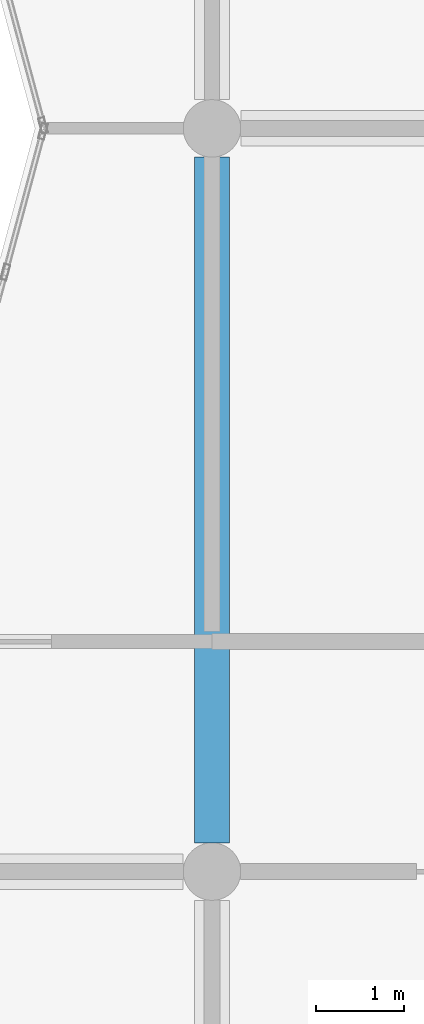
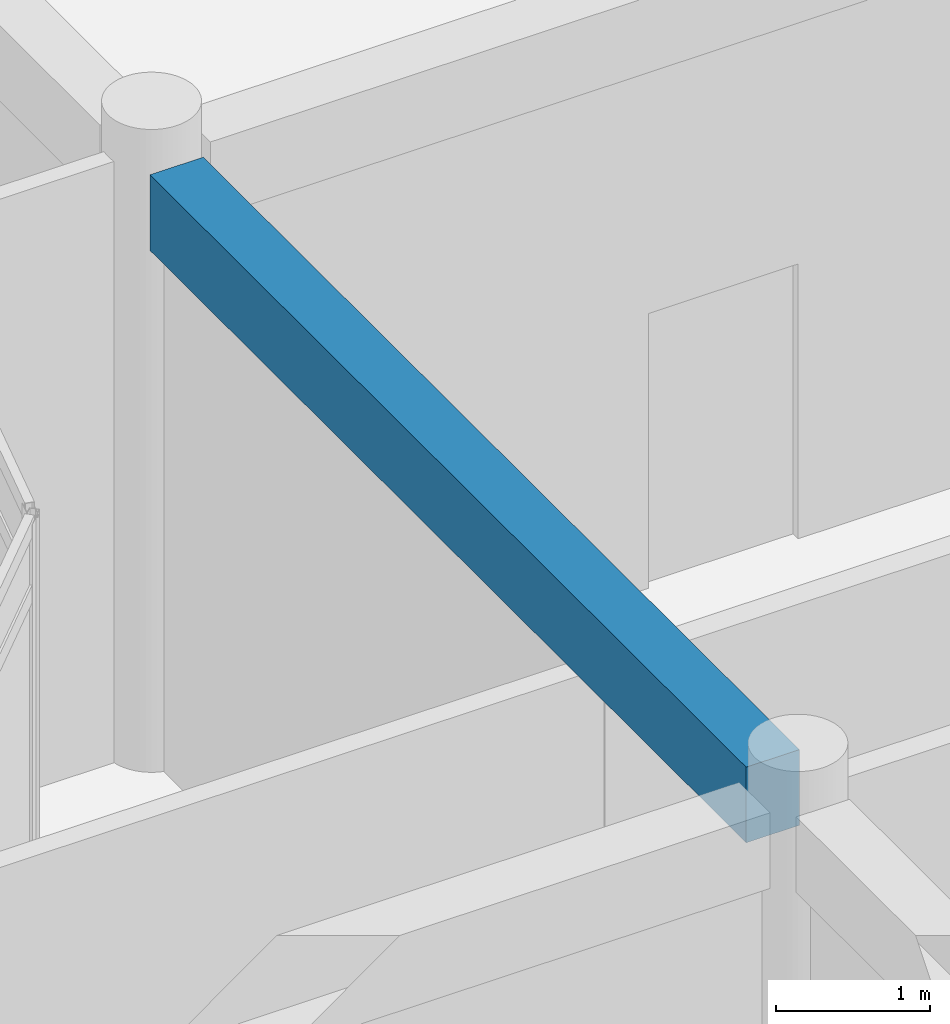
# One storey, part 28 of 134: 1 beam.
"""IFC4 building model written with IfcOpenShell, lengths in metres."""

import ifcopenshell
import ifcopenshell.guid

model = None  # the IFC model being written
_history = None  # IfcOwnerHistory: only IFC2X3 demands one
_inside = {}  # id of a spatial element -> (the spatial element, [elements in it])
_under = {}  # id of a project, library or spatial element -> (it, [spatial elements below it])
_declared = {}  # id of a project -> (the project, [libraries it declares])
_typed = {}  # id of a type object -> (the type object, [elements of that type])
_made_of = {}  # id of a material, layer set ... -> (it, [elements and type objects made of it])


def new_model(schema):
    """Start an empty IFC model of exactly this schema.

    Asked for "IFC4X3", IfcOpenShell would pick the latest addendum, in which some entities
    have other attributes; the version numbers below select the first issue.
    IFC2X3 requires an IfcOwnerHistory on every rooted entity: one is made here for all.
    """
    global model, _history
    if schema == "IFC4X3":
        model = ifcopenshell.file(schema_version=(4, 3, 0, 0))
    else:
        model = ifcopenshell.file(schema=schema)
    _inside.clear()
    _under.clear()
    _declared.clear()
    _typed.clear()
    _made_of.clear()
    _history = None
    if model.schema == "IFC2X3":
        org = make("IfcOrganization", Name="unknown")
        user = make(
            "IfcPersonAndOrganization",
            ThePerson=make("IfcPerson", FamilyName="unknown"),
            TheOrganization=org,
        )
        app = make(
            "IfcApplication",
            ApplicationDeveloper=org,
            Version="unknown",
            ApplicationFullName="unknown",
            ApplicationIdentifier="unknown",
        )
        _history = make(
            "IfcOwnerHistory",
            OwningUser=user,
            OwningApplication=app,
            ChangeAction="ADDED",
            CreationDate=0,
        )
    return model


def make(cls, **values):
    """One entity of the class cls with the attributes given. An attribute that is None is left unset."""
    return model.create_entity(
        cls, **{name: value for name, value in values.items() if value is not None}
    )


def rooted(cls, **values):
    """An entity with a GlobalId (a new one), such as an element, a storey or a relation."""
    return make(cls, GlobalId=ifcopenshell.guid.new(), OwnerHistory=_history, **values)


def si_unit(unit_type, name, prefix=None):
    """IfcSIUnit, for example si_unit("LENGTHUNIT", "METRE", prefix="MILLI")."""
    return make("IfcSIUnit", UnitType=unit_type, Prefix=prefix, Name=name)


def assignment(units):
    """IfcUnitAssignment: the units of a project."""
    return None if units is None else make("IfcUnitAssignment", Units=units)


def point(xyz):
    """IfcCartesianPoint."""
    return None if xyz is None else make("IfcCartesianPoint", Coordinates=xyz)


def direction(xyz):
    """IfcDirection."""
    return None if xyz is None else make("IfcDirection", DirectionRatios=xyz)


def frame(location, z_axis=None, x_axis=None):
    """IfcAxis2Placement3D, a coordinate frame: its origin and axes. An axis left out is left unset."""
    return make(
        "IfcAxis2Placement3D",
        Location=point(location),
        Axis=direction(z_axis),
        RefDirection=direction(x_axis),
    )


def frame_2d(location, x_axis=None):
    """IfcAxis2Placement2D, a coordinate frame in the plane: its origin and x axis."""
    return make(
        "IfcAxis2Placement2D", Location=point(location), RefDirection=direction(x_axis)
    )


def origin():
    """The frame at (0, 0, 0) with its axes left unset."""
    return frame((0.0, 0.0, 0.0))


def origin_2d():
    """The frame at (0, 0) in the plane with its x axis left unset."""
    return frame_2d((0.0, 0.0))


def place(relative_to, where):
    """IfcLocalPlacement: puts the frame where relative to a parent placement (None: the world)."""
    return make(
        "IfcLocalPlacement", PlacementRelTo=relative_to, RelativePlacement=where
    )


def context(
    kind, dimensions, precision=None, world=None, true_north=None, identifier=None
):
    """IfcGeometricRepresentationContext, for example the 3D "Model" context."""
    return make(
        "IfcGeometricRepresentationContext",
        ContextIdentifier=identifier,
        ContextType=kind,
        CoordinateSpaceDimension=dimensions,
        Precision=precision,
        WorldCoordinateSystem=world,
        TrueNorth=true_north,
    )


def subcontext(parent, identifier, kind, view, scale=None):
    """IfcGeometricRepresentationSubContext, for example "Body" below "Model"."""
    return make(
        "IfcGeometricRepresentationSubContext",
        ContextIdentifier=identifier,
        ContextType=kind,
        ParentContext=parent,
        TargetScale=scale,
        TargetView=view,
    )


def project(units=None, contexts=None):
    """IfcProject with its units and contexts."""
    return rooted(
        "IfcProject",
        Name="project",
        RepresentationContexts=contexts,
        UnitsInContext=assignment(units),
    )


def spatial(cls, under=None, at=None, **own):
    """A site, building, storey or space (cls), placed at a placement, below another one or the project."""
    s = rooted(cls, ObjectPlacement=at, **own)
    if under is not None:
        _under.setdefault(under.id(), (under, []))[1].append(s)
    return s


def profile(cls, at=None, kind="AREA", **sizes):
    """A parametric profile (cls). Its sizes go by their IFC names, for example OverallWidth=200.0."""
    return make(cls, ProfileType=kind, Position=at, **sizes)


def rectangle(**sizes):
    """IfcRectangleProfileDef."""
    return profile("IfcRectangleProfileDef", **sizes)


def extrude(swept, where, along, depth):
    """IfcExtrudedAreaSolid: the profile swept, set in the frame where, extruded along a direction by depth."""
    return make(
        "IfcExtrudedAreaSolid",
        SweptArea=swept,
        Position=where,
        ExtrudedDirection=direction(along),
        Depth=depth,
    )


def shape(context_of_items, identifier, shape_type, items):
    """IfcShapeRepresentation: the items that make up one representation, for example the "Body"."""
    return make(
        "IfcShapeRepresentation",
        ContextOfItems=context_of_items,
        RepresentationIdentifier=identifier,
        RepresentationType=shape_type,
        Items=items,
    )


def material(Name=None, Category=None):
    """IfcMaterial."""
    return make("IfcMaterial", Name=Name, Category=Category)


def material_profile(
    of_material, cross_section, Name=None, Category=None, Priority=None
):
    """IfcMaterialProfile: a cross section and its material."""
    return make(
        "IfcMaterialProfile",
        Name=Name,
        Material=of_material,
        Profile=cross_section,
        Priority=Priority,
        Category=Category,
    )


def profile_set(profiles, Name=None, composite=None):
    """IfcMaterialProfileSet."""
    return make(
        "IfcMaterialProfileSet",
        Name=Name,
        MaterialProfiles=profiles,
        CompositeProfile=composite,
    )


def made_of(thing, what):
    """Note that an element or type object is made of a material, layer set ...; save() writes the relation."""
    if what is not None:
        _made_of.setdefault(what.id(), (what, []))[1].append(thing)
    return thing


def type_object(cls, material=None, **own):
    """A type object (cls), such as IfcWallType, which elements share."""
    return made_of(rooted(cls, **own), material)


def element(
    cls,
    number,
    at=None,
    inside=None,
    cuts=None,
    type_object=None,
    material=None,
    context=None,
    identifier="Body",
    shape_type=None,
    held_by="IfcProductDefinitionShape",
    body=None,
    shapes=None,
    **own,
):
    """One element of the class cls, such as IfcWall. Its Tag is "e" and its number.

    at: its placement. inside: the storey or other place that contains it. cuts: it is an
    opening in that element (IfcRelVoidsElement). A single representation is given by context,
    identifier, shape_type and body (its items); several are given by shapes. held_by: the class
    of the entity that holds the representations. save() writes the other relations.
    """
    e = rooted(cls, Tag="e%d" % number, ObjectPlacement=at, **own)
    if body is not None:
        shapes = [shape(context, identifier, shape_type, body)]
    if shapes is not None:
        e.Representation = make(held_by, Representations=shapes)
    if inside is not None:
        _inside.setdefault(inside.id(), (inside, []))[1].append(e)
    if cuts is not None:
        rooted(
            "IfcRelVoidsElement", RelatingBuildingElement=cuts, RelatedOpeningElement=e
        )
    if type_object is not None:
        _typed.setdefault(type_object.id(), (type_object, []))[1].append(e)
    return made_of(e, material)


def aggregate(whole, parts):
    """IfcRelAggregates: a whole, such as a stair, and the parts it consists of."""
    return rooted("IfcRelAggregates", RelatingObject=whole, RelatedObjects=parts)


def save(model, path):
    """Write the relations noted so far, then the file.

    IfcRelAggregates (storeys below a building ...), IfcRelContainedInSpatialStructure (elements
    in a storey), IfcRelDefinesByType, IfcRelAssociatesMaterial and IfcRelDeclares: one each for
    every whole, place, type object, material and project.
    """
    for whole, parts in _under.values():
        aggregate(whole, parts)
    for where, things in _inside.values():
        rooted(
            "IfcRelContainedInSpatialStructure",
            RelatedElements=things,
            RelatingStructure=where,
        )
    for kind, things in _typed.values():
        rooted("IfcRelDefinesByType", RelatedObjects=things, RelatingType=kind)
    for what, things in _made_of.values():
        rooted("IfcRelAssociatesMaterial", RelatedObjects=things, RelatingMaterial=what)
    for by, libraries in _declared.values():
        rooted("IfcRelDeclares", RelatingContext=by, RelatedDefinitions=libraries)
    model.write(path)


model = new_model("IFC4")

# Units and contexts
model_context = context("Model", 3, precision=1e-05, world=origin(), true_north=direction((0.0, 1.0)))
body_context = subcontext(model_context, "Body", "Model", "MODEL_VIEW")
ifc_project = project(units=[si_unit("LENGTHUNIT", "METRE"), si_unit("AREAUNIT", "SQUARE_METRE"), si_unit("VOLUMEUNIT", "CUBIC_METRE"), si_unit("PLANEANGLEUNIT", "RADIAN"), si_unit("MASSUNIT", "GRAM", prefix="KILO")], contexts=[model_context])

# Site, building, storey
site_placement = place(None, origin())
site = spatial("IfcSite", under=ifc_project, at=site_placement, CompositionType="ELEMENT")
building_placement = place(site_placement, origin())
building = spatial("IfcBuilding", under=site, at=building_placement, Name="Bramfleet General Hospital", CompositionType="ELEMENT")
storey_placement = place(building_placement, frame((0.0, 0.0, 9.300048828125)))
storey = spatial("IfcBuildingStorey", under=building, at=storey_placement, Name="L02", CompositionType="ELEMENT", Elevation=9.300048828125)

# Beam
ifc_material = material(Name="Concrete C35/45", Category="concrete")
ifc_material_profile = material_profile(ifc_material, rectangle(XDim=0.39990234375, YDim=0.60009765625, at=origin_2d()), Name="RC BM 600x400")
ifc_profile_set = profile_set([ifc_material_profile], Name="Concrete C35/45")
beam_type = type_object("IfcBeamType", Name="BM-RC600", PredefinedType="BEAM", material=ifc_profile_set)
beam_placement = place(storey_placement, frame((126.0, 59.125, 4.47998046875), z_axis=(0.0, 1.0, 0.0), x_axis=(-1.0, 0.0, 0.0)))
element("IfcBeam", 1, at=beam_placement, inside=storey, type_object=beam_type, Name="L02 Grid Beam Y 15-07", PredefinedType="BEAM", context=body_context, shape_type="SweptSolid", body=[
    extrude(rectangle(XDim=0.39990234375, YDim=0.60009765625, at=origin_2d()), origin(), (0.0, 0.0, 1.0), 7.75),
])

save(model, "model.ifc")
